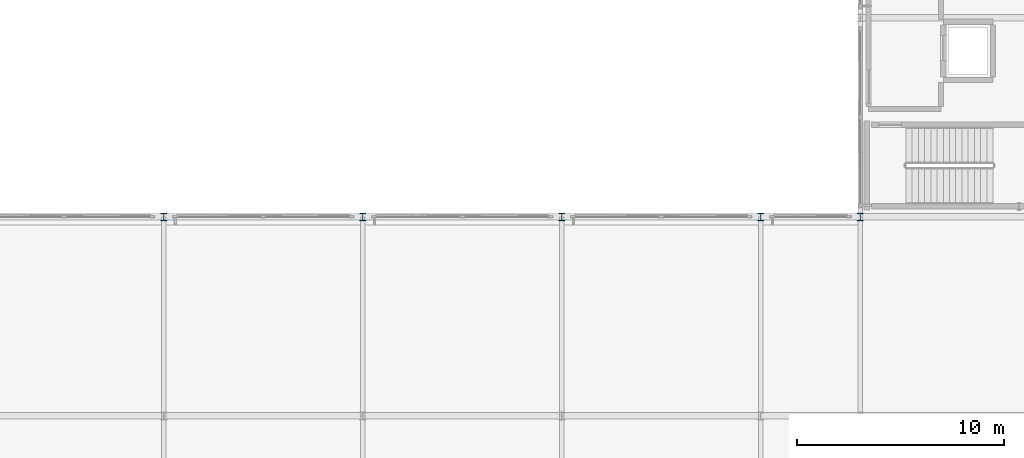
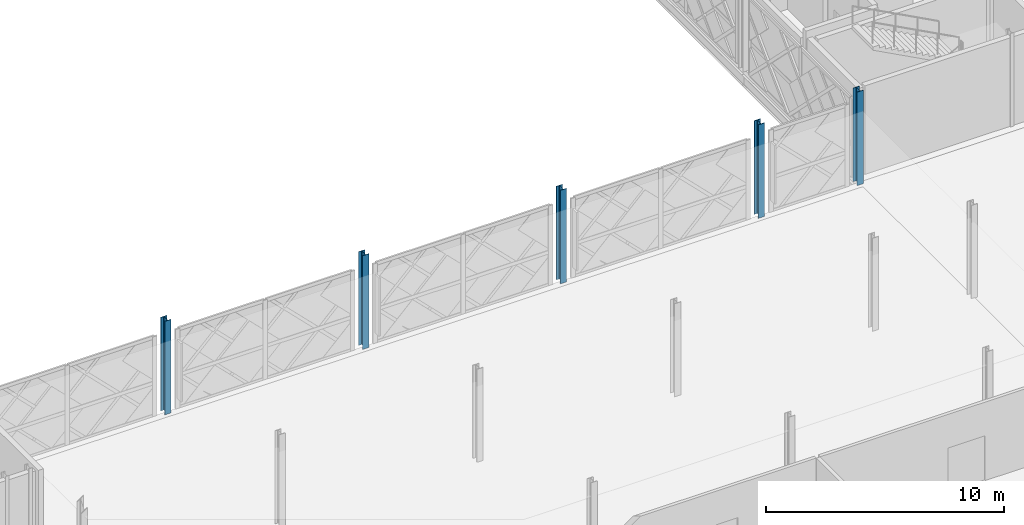
# One storey, part 6 of 77: 5 columns.
"""IFC4 building model written with IfcOpenShell, lengths in metres."""

from ifc_helpers import new_model, si_unit, direction, frame, origin, origin_2d, place, context, subcontext, project, spatial, i_section, extrude, material, material_profile, profile_set, type_object, element, save


model = new_model("IFC4")

# Units and contexts
model_context = context("Model", 3, precision=1e-05, world=origin(), true_north=direction((0.0, 1.0)))
body_context = subcontext(model_context, "Body", "Model", "MODEL_VIEW")
ifc_project = project(units=[si_unit("LENGTHUNIT", "METRE"), si_unit("AREAUNIT", "SQUARE_METRE"), si_unit("VOLUMEUNIT", "CUBIC_METRE"), si_unit("PLANEANGLEUNIT", "RADIAN"), si_unit("MASSUNIT", "GRAM", prefix="KILO")], contexts=[model_context])

# Site, building, storey
site_placement = place(None, origin())
site = spatial("IfcSite", under=ifc_project, at=site_placement, CompositionType="ELEMENT")
building_placement = place(site_placement, origin())
building = spatial("IfcBuilding", under=site, at=building_placement, Name="Zevrakil Square Congress Hotel", CompositionType="ELEMENT")
storey_placement = place(building_placement, frame((0.0, 0.0, 9.89990234375)))
storey = spatial("IfcBuildingStorey", under=building, at=storey_placement, Name="L03", CompositionType="ELEMENT", Elevation=9.89990234375)

# Columns
ifc_material = material(Name="Steel S355", Category="steel")
ifc_material_profile = material_profile(ifc_material, i_section(OverallWidth=0.300048828125, OverallDepth=0.360107421875, WebThickness=0.012451171875, FlangeThickness=0.0224609375, FilletRadius=0.027099609375, at=origin_2d()), Name="HEB 360")
ifc_profile_set = profile_set([ifc_material_profile], Name="Steel S355")
column_type = type_object("IfcColumnType", Name="COL-HEB360", PredefinedType="COLUMN", material=ifc_profile_set)
for number, where, z_axis, x_axis, name in (
    (1, (74.39990234375, 45.60009765625, 0.0), (0.0, 0.0, 1.0), (1.0, 0.0, 0.0), "L03 column C-118"),
    (2, (84.0, 45.60009765625, 0.0), (0.0, 0.0, 1.0), (1.0, 0.0, 0.0), "L03 column C-130"),
    (3, (93.60009765625, 45.60009765625, 0.0), (0.0, 0.0, 1.0), (1.0, 0.0, 0.0), "L03 column C-142"),
    (4, (103.199951171875, 45.60009765625, 0.0), (0.0, 0.0, 1.0), (1.0, 0.0, 0.0), "L03 column C-154"),
    (5, (108.0, 45.60009765625, 0.0), (0.0, 0.0, 1.0), (1.0, 0.0, 0.0), "L03 column C-168"),
):
    element("IfcColumn", number, at=place(storey_placement, frame(where, z_axis=z_axis, x_axis=x_axis)), inside=storey, type_object=column_type, Name=name, PredefinedType="COLUMN", context=body_context, shape_type="SweptSolid", body=[
        extrude(i_section(OverallWidth=0.300048828125, OverallDepth=0.360107421875, WebThickness=0.012451171875, FlangeThickness=0.0224609375, FilletRadius=0.027099609375, at=origin_2d()), origin(), (0.0, 0.0, 1.0), 4.800048828125),
    ])

save(model, "model.ifc")
